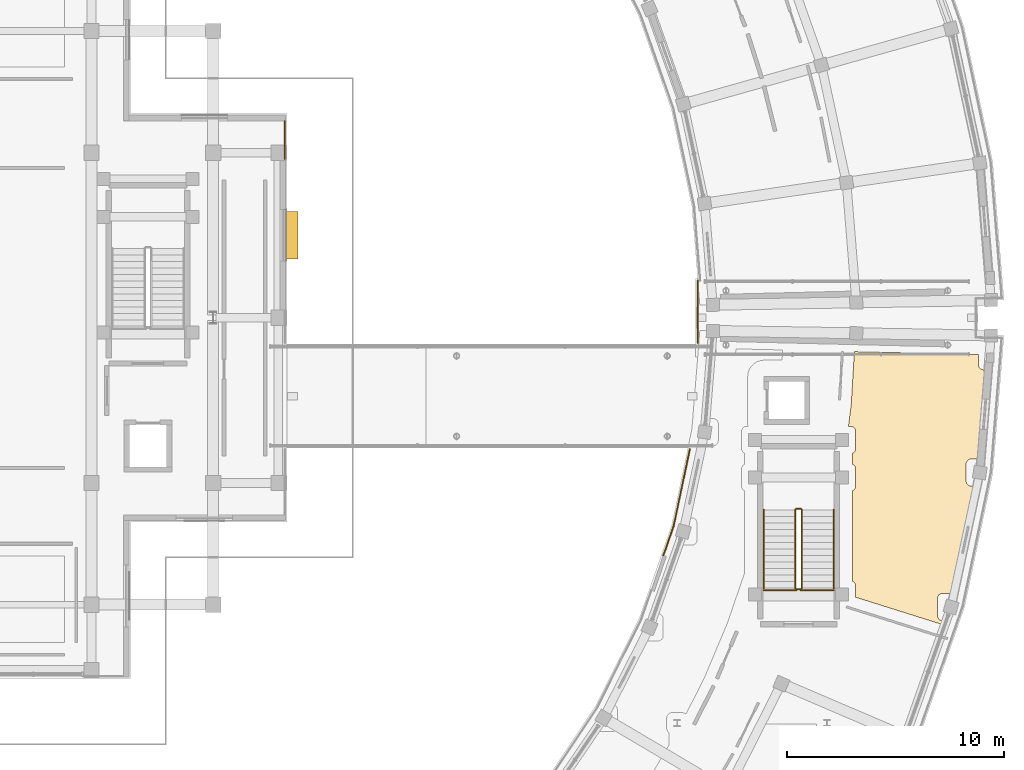
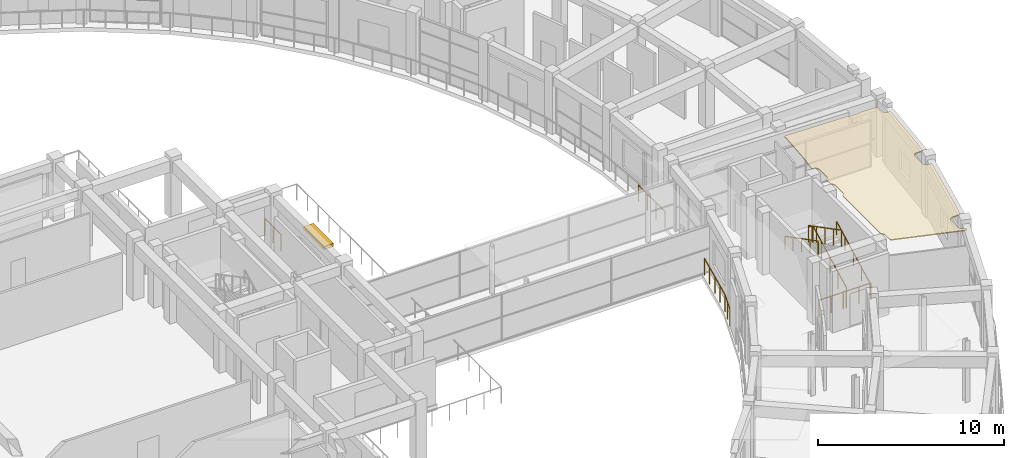
# One storey, part 48 of 53: 12 railings, 1 covering, 1 shading device.
"""IFC4 building model written with IfcOpenShell, lengths in metres."""

from ifc_helpers import new_model, si_unit, direction, frame, origin, origin_2d, place, context, subcontext, project, spatial, polyline, rectangle, outline, extrude, material, layer, layer_set, type_object, element, save


model = new_model("IFC4")

# Units and contexts
model_context = context("Model", 3, precision=1e-05, world=origin(), true_north=direction((0.0, 1.0)))
body_context = subcontext(model_context, "Body", "Model", "MODEL_VIEW")
ifc_project = project(units=[si_unit("LENGTHUNIT", "METRE"), si_unit("AREAUNIT", "SQUARE_METRE"), si_unit("VOLUMEUNIT", "CUBIC_METRE"), si_unit("PLANEANGLEUNIT", "RADIAN"), si_unit("MASSUNIT", "GRAM", prefix="KILO")], contexts=[model_context])

# Site, building, storey
site_placement = place(None, origin())
site = spatial("IfcSite", under=ifc_project, at=site_placement, CompositionType="ELEMENT")
building_placement = place(site_placement, origin())
building = spatial("IfcBuilding", under=site, at=building_placement, Name="Saryqyr Civic Hall", CompositionType="ELEMENT")
storey_placement = place(building_placement, frame((0.0, 0.0, 21.300048828125)))
storey = spatial("IfcBuildingStorey", under=building, at=storey_placement, Name="L05", CompositionType="ELEMENT", Elevation=21.300048828125)

# Shading device
ifc_material_1 = material(Name="Warm brushed brass-anodised aluminium", Category="aluminium")
shading_device_type = type_object("IfcShadingDeviceType", Name="ENV-SHD-LOUVRE", PredefinedType="JALOUSIE", material=ifc_material_1)
shading_device_placement = place(storey_placement, frame((73.81494140625, 87.800048828125, 2.884765625), z_axis=(0.0, 0.0, 1.0), x_axis=(0.0, -1.0, 0.0)))
element("IfcShadingDevice", 1, at=shading_device_placement, inside=storey, type_object=shading_device_type, Name="Warm brass exterior louvre hood L05-08", PredefinedType="JALOUSIE", context=body_context, shape_type="SweptSolid", body=[
    extrude(rectangle(XDim=2.199951171875, YDim=0.60009765625, at=origin_2d()), origin(), (0.0, 0.0, 1.0), 0.199951171875),
])

# Covering
ifc_material_2 = material(Name="Mineral-fibre acoustic ceiling tile", Category="acoustic_tile")
ifc_layer_1 = layer(ifc_material_2, 0.06005859375, Name="Mineral-fibre acoustic ceiling tile")
ifc_layer_set_1 = layer_set([ifc_layer_1], Name="Mineral-fibre acoustic ceiling tile")
covering_type = type_object("IfcCoveringType", Name="INT-COV-CEIL-60", PredefinedType="CEILING", material=ifc_layer_set_1)
covering_placement = place(storey_placement, frame((0.0, 0.0, 3.719970703125)))
element("IfcCovering", 2, at=covering_placement, inside=storey, type_object=covering_type, Name="Acoustic ceiling Members' Lounge & Accessible MGN WC L05-E", PredefinedType="CEILING", context=body_context, shape_type="SweptSolid", body=[
    extrude(outline(polyline([(99.706298828125, 82.443359375), (103.612548828125, 82.351318359375), (103.625, 82.340087890625), (103.64453125, 82.32568359375), (103.665771484375, 82.31298828125), (103.687744140625, 82.302490234375), (103.7109375, 82.294189453125), (103.734619140625, 82.288330078125), (103.759033203125, 82.28466796875), (103.783447265625, 82.283447265625), (104.216552734375, 82.283447265625), (104.240966796875, 82.28466796875), (104.265380859375, 82.288330078125), (104.2890625, 82.294189453125), (104.312255859375, 82.302490234375), (104.334228515625, 82.31298828125), (104.35546875, 82.32568359375), (104.3662109375, 82.33349609375), (105.410400390625, 82.30908203125), (105.410400390625, 81.856689453125), (105.41162109375, 81.832275390625), (105.415283203125, 81.807861328125), (105.42138671875, 81.7841796875), (105.429443359375, 81.760986328125), (105.43994140625, 81.739013671875), (105.45263671875, 81.7177734375), (105.46728515625, 81.697998046875), (105.483642578125, 81.679931640625), (105.501953125, 81.663330078125), (105.521484375, 81.648681640625), (105.542724609375, 81.63623046875), (105.564697265625, 81.625732421875), (105.587890625, 81.617431640625), (105.61181640625, 81.611572265625), (105.635986328125, 81.60791015625), (105.660400390625, 81.606689453125), (105.82080078125, 81.606689453125), (105.56591796875, 78.27001953125), (105.46728515625, 77.510009765625), (105.10009765625, 77.510009765625), (105.075439453125, 77.5087890625), (105.05126953125, 77.505126953125), (105.02734375, 77.499267578125), (105.00439453125, 77.490966796875), (104.982177734375, 77.48046875), (104.961181640625, 77.468017578125), (104.94140625, 77.453369140625), (104.923095703125, 77.436767578125), (104.90673828125, 77.418701171875), (104.89208984375, 77.39892578125), (104.87939453125, 77.377685546875), (104.868896484375, 77.355712890625), (104.86083984375, 77.33251953125), (104.854736328125, 77.308837890625), (104.851318359375, 77.284423828125), (104.85009765625, 77.260009765625), (104.85009765625, 76.5), (104.851318359375, 76.4755859375), (104.854736328125, 76.451171875), (104.86083984375, 76.427490234375), (104.868896484375, 76.404296875), (104.87939453125, 76.382080078125), (104.89208984375, 76.361083984375), (104.90673828125, 76.34130859375), (104.923095703125, 76.3232421875), (104.94140625, 76.306640625), (104.961181640625, 76.2919921875), (104.982177734375, 76.279541015625), (105.00439453125, 76.26904296875), (105.02734375, 76.2607421875), (105.05126953125, 76.2548828125), (105.075439453125, 76.251220703125), (105.10009765625, 76.25), (105.3037109375, 76.25), (105.293701171875, 76.173828125), (104.4033203125, 71.953369140625), (104.228515625, 71.3212890625), (103.778076171875, 71.3212890625), (103.75341796875, 71.320068359375), (103.729248046875, 71.31640625), (103.705322265625, 71.310302734375), (103.682373046875, 71.30224609375), (103.66015625, 71.291748046875), (103.63916015625, 71.279052734375), (103.619384765625, 71.264404296875), (103.601318359375, 71.248046875), (103.584716796875, 71.229736328125), (103.570068359375, 71.210205078125), (103.5576171875, 71.18896484375), (103.547119140625, 71.1669921875), (103.538818359375, 71.143798828125), (103.53271484375, 71.1201171875), (103.529296875, 71.095703125), (103.528076171875, 71.0712890625), (103.528076171875, 70.311279296875), (103.529296875, 70.28662109375), (103.53271484375, 70.262451171875), (103.538818359375, 70.238525390625), (103.547119140625, 70.215576171875), (103.5576171875, 70.193359375), (103.570068359375, 70.17236328125), (103.584716796875, 70.152587890625), (103.601318359375, 70.134521484375), (103.619384765625, 70.117919921875), (103.63916015625, 70.103271484375), (103.66015625, 70.0908203125), (103.682373046875, 70.080078125), (103.705322265625, 70.072021484375), (103.729248046875, 70.06591796875), (103.75341796875, 70.0625), (103.778076171875, 70.061279296875), (103.88037109375, 70.061279296875), (103.825927734375, 69.86474609375), (99.77001953125, 71.14013671875), (99.77001953125, 71.655029296875), (99.768798828125, 71.679443359375), (99.76513671875, 71.703857421875), (99.75927734375, 71.7275390625), (99.7509765625, 71.750732421875), (99.740478515625, 71.772705078125), (99.727783203125, 71.7939453125), (99.71337890625, 71.813720703125), (99.69677734375, 71.831787109375), (99.6787109375, 71.848388671875), (99.658935546875, 71.86279296875), (99.6376953125, 71.87548828125), (99.6201171875, 71.8837890625), (99.6201171875, 76.041015625), (99.6376953125, 76.049560546875), (99.658935546875, 76.06201171875), (99.6787109375, 76.07666015625), (99.69677734375, 76.09326171875), (99.71337890625, 76.111328125), (99.727783203125, 76.131103515625), (99.740478515625, 76.152099609375), (99.7509765625, 76.17431640625), (99.75927734375, 76.197509765625), (99.76513671875, 76.22119140625), (99.768798828125, 76.24560546875), (99.77001953125, 76.27001953125), (99.77001953125, 77.030029296875), (99.768798828125, 77.054443359375), (99.76513671875, 77.078857421875), (99.75927734375, 77.1025390625), (99.7509765625, 77.125732421875), (99.740478515625, 77.147705078125), (99.727783203125, 77.1689453125), (99.71337890625, 77.188720703125), (99.69677734375, 77.206787109375), (99.6787109375, 77.223388671875), (99.658935546875, 77.23779296875), (99.6376953125, 77.25048828125), (99.6201171875, 77.2587890625), (99.6201171875, 77.77099609375), (99.6376953125, 77.779541015625), (99.658935546875, 77.7919921875), (99.6787109375, 77.806640625), (99.69677734375, 77.8232421875), (99.71337890625, 77.84130859375), (99.727783203125, 77.861083984375), (99.740478515625, 77.882080078125), (99.7509765625, 77.904296875), (99.75927734375, 77.927490234375), (99.76513671875, 77.951171875), (99.768798828125, 77.9755859375), (99.77001953125, 78.0), (99.77001953125, 78.760009765625), (99.768798828125, 78.784423828125), (99.76513671875, 78.808837890625), (99.75927734375, 78.83251953125), (99.7509765625, 78.855712890625), (99.740478515625, 78.877685546875), (99.727783203125, 78.89892578125), (99.71337890625, 78.918701171875), (99.69677734375, 78.936767578125), (99.6787109375, 78.953369140625), (99.658935546875, 78.968017578125), (99.6376953125, 78.98046875), (99.61572265625, 78.990966796875), (99.592529296875, 78.999267578125), (99.56884765625, 79.005126953125), (99.54443359375, 79.0087890625), (99.52001953125, 79.010009765625), (99.4345703125, 79.010009765625), (99.5595703125, 79.973388671875), (99.563232421875, 80.011962890625), (99.706298828125, 82.443359375)])), origin(), (0.0, 0.0, 1.0), 0.06005859375),
])

# Railings
ifc_material_3 = material(Name="Warm brushed brass and laminated glass", Category="glass")
ifc_layer_2 = layer(ifc_material_3, 0.06005859375, Name="Warm brushed brass and laminated glass")
ifc_layer_set_2 = layer_set([ifc_layer_2], Name="Warm brushed brass and laminated glass")
railing_type_1 = type_object("IfcRailingType", Name="INT-RLG-BAL-1100", PredefinedType="BALUSTRADE", material=ifc_layer_set_2)
railing_1_placement = place(storey_placement, frame((97.2900390625, 71.56005859375, 0.15576171875)))
element("IfcRailing", 3, at=railing_1_placement, inside=storey, type_object=railing_type_1, Name="L05 ST-5 stair guard 1", PredefinedType="BALUSTRADE", context=body_context, shape_type="SweptSolid", body=[
    extrude(rectangle(XDim=0.048095703125, YDim=0.048095703125, at=origin_2d()), frame((0.0, 0.0, 1.076171875), z_axis=(0.0, 0.887497496945, 0.460812535545), x_axis=(-1.0, 0.0, 0.0)), (0.0, 0.0, 1.0), 4.05615234375),
    extrude(rectangle(XDim=0.0419921875, YDim=0.0419921875, at=origin_2d()), origin(), (0.0, 0.0, 1.0), 1.052001953125),
    extrude(rectangle(XDim=0.0419921875, YDim=0.0419921875, at=origin_2d()), frame((0.0, 0.89990234375, 0.46728515625)), (0.0, 0.0, 1.0), 1.052001953125),
    extrude(rectangle(XDim=0.0419921875, YDim=0.0419921875, at=origin_2d()), frame((0.0, 1.7998046875, 0.9345703125)), (0.0, 0.0, 1.0), 1.052001953125),
    extrude(rectangle(XDim=0.0419921875, YDim=0.0419921875, at=origin_2d()), frame((0.0, 2.699951171875, 1.40185546875)), (0.0, 0.0, 1.0), 1.052001953125),
    extrude(rectangle(XDim=0.0419921875, YDim=0.0419921875, at=origin_2d()), frame((0.0, 3.599853515625, 1.869140625)), (0.0, 0.0, 1.0), 1.052001953125),
])
railing_2_placement = place(storey_placement, frame((97.239990234375, 75.2099609375, 2.02490234375)))
element("IfcRailing", 4, at=railing_2_placement, inside=storey, type_object=railing_type_1, Name="L05 ST-5 stair guard 2", PredefinedType="BALUSTRADE", context=body_context, shape_type="SweptSolid", body=[
    extrude(rectangle(XDim=0.048095703125, YDim=0.048095703125, at=origin_2d()), frame((0.0, 0.0, 1.076171875), z_axis=(-1.0, 0.0, 0.0), x_axis=(0.0, -1.0, 0.0)), (0.0, 0.0, 1.0), 0.199951171875),
    extrude(rectangle(XDim=0.0419921875, YDim=0.0419921875, at=origin_2d()), origin(), (0.0, 0.0, 1.0), 1.052001953125),
    extrude(rectangle(XDim=0.0419921875, YDim=0.0419921875, at=origin_2d()), frame((-0.199951171875, 0.0, 0.0)), (0.0, 0.0, 1.0), 1.052001953125),
])
railing_3_placement = place(storey_placement, frame((96.989990234375, 75.159912109375, 2.1806640625)))
element("IfcRailing", 5, at=railing_3_placement, inside=storey, type_object=railing_type_1, Name="L05 ST-5 stair guard 3", PredefinedType="BALUSTRADE", context=body_context, shape_type="SweptSolid", body=[
    extrude(rectangle(XDim=0.048095703125, YDim=0.048095703125, at=origin_2d()), frame((0.0, 0.0, 1.076171875), z_axis=(0.0, -0.887472880572, 0.460859942119), x_axis=(1.0, 0.0, 0.0)), (0.0, 0.0, 1.0), 4.056396484375),
    extrude(rectangle(XDim=0.0419921875, YDim=0.0419921875, at=origin_2d()), origin(), (0.0, 0.0, 1.0), 1.052001953125),
    extrude(rectangle(XDim=0.0419921875, YDim=0.0419921875, at=origin_2d()), frame((0.0, -0.89990234375, 0.46728515625)), (0.0, 0.0, 1.0), 1.052001953125),
    extrude(rectangle(XDim=0.0419921875, YDim=0.0419921875, at=origin_2d()), frame((0.0, -1.7998046875, 0.9345703125)), (0.0, 0.0, 1.0), 1.052001953125),
    extrude(rectangle(XDim=0.0419921875, YDim=0.0419921875, at=origin_2d()), frame((0.0, -2.699951171875, 1.402099609375)), (0.0, 0.0, 1.0), 1.052001953125),
    extrude(rectangle(XDim=0.0419921875, YDim=0.0419921875, at=origin_2d()), frame((0.0, -3.599853515625, 1.869384765625)), (0.0, 0.0, 1.0), 1.052001953125),
])
railing_4_placement = place(storey_placement, frame((97.239990234375, 71.510009765625, 0.0)))
element("IfcRailing", 6, at=railing_4_placement, inside=storey, type_object=railing_type_1, Name="L05 ST-5 stair guard 4", PredefinedType="BALUSTRADE", context=body_context, shape_type="SweptSolid", body=[
    extrude(rectangle(XDim=0.048095703125, YDim=0.048095703125, at=origin_2d()), frame((0.0, 0.0, 1.076171875), z_axis=(-1.0, 0.0, 0.0), x_axis=(0.0, -1.0, 0.0)), (0.0, 0.0, 1.0), 0.199951171875),
    extrude(rectangle(XDim=0.0419921875, YDim=0.0419921875, at=origin_2d()), origin(), (0.0, 0.0, 1.0), 1.052001953125),
    extrude(rectangle(XDim=0.0419921875, YDim=0.0419921875, at=origin_2d()), frame((-0.199951171875, 0.0, 0.0)), (0.0, 0.0, 1.0), 1.052001953125),
])
railing_5_placement = place(storey_placement, frame((73.5, 93.044921875, 0.0)))
element("IfcRailing", 7, at=railing_5_placement, inside=storey, type_object=railing_type_1, Name="Interior deck safety balustrade L05-007", PredefinedType="BALUSTRADE", context=body_context, shape_type="SweptSolid", body=[
    extrude(rectangle(XDim=0.048095703125, YDim=0.048095703125, at=origin_2d()), frame((0.0, 0.0, 1.09619140625), z_axis=(0.0, -1.0, 0.0), x_axis=(1.0, 0.0, 0.0)), (0.0, 0.0, 1.0), 1.72998046875),
    extrude(rectangle(XDim=0.0419921875, YDim=0.0419921875, at=origin_2d()), origin(), (0.0, 0.0, 1.0), 1.072021484375),
    extrude(rectangle(XDim=0.0419921875, YDim=0.0419921875, at=origin_2d()), frame((0.0, -0.864990234375, 0.0)), (0.0, 0.0, 1.0), 1.072021484375),
    extrude(rectangle(XDim=0.0419921875, YDim=0.0419921875, at=origin_2d()), frame((0.0, -1.72998046875, 0.0)), (0.0, 0.0, 1.0), 1.072021484375),
])
railing_6_placement = place(storey_placement, frame((92.5, 82.840087890625, 0.0)))
element("IfcRailing", 8, at=railing_6_placement, inside=storey, type_object=railing_type_1, Name="Interior deck safety balustrade L05-009", PredefinedType="BALUSTRADE", context=body_context, shape_type="SweptSolid", body=[
    extrude(rectangle(XDim=0.048095703125, YDim=0.048095703125, at=origin_2d()), frame((0.0, 0.0, 1.09619140625), z_axis=(0.0, 1.0, 0.0), x_axis=(-1.0, 0.0, 0.0)), (0.0, 0.0, 1.0), 2.85986328125),
    extrude(rectangle(XDim=0.0419921875, YDim=0.0419921875, at=origin_2d()), origin(), (0.0, 0.0, 1.0), 1.072021484375),
    extrude(rectangle(XDim=0.0419921875, YDim=0.0419921875, at=origin_2d()), frame((0.0, 0.953369140625, 0.0)), (0.0, 0.0, 1.0), 1.072021484375),
    extrude(rectangle(XDim=0.0419921875, YDim=0.0419921875, at=origin_2d()), frame((0.0, 1.906494140625, 0.0)), (0.0, 0.0, 1.0), 1.072021484375),
    extrude(rectangle(XDim=0.0419921875, YDim=0.0419921875, at=origin_2d()), frame((0.0, 2.85986328125, 0.0)), (0.0, 0.0, 1.0), 1.072021484375),
])
railing_7_placement = place(storey_placement, frame((90.9208984375, 73.072021484375, 0.0)))
element("IfcRailing", 9, at=railing_7_placement, inside=storey, type_object=railing_type_1, Name="Interior deck safety balustrade L05-055", PredefinedType="BALUSTRADE", context=body_context, shape_type="SweptSolid", body=[
    extrude(rectangle(XDim=0.048095703125, YDim=0.048095703125, at=origin_2d()), frame((0.0, 0.0, 1.09619140625), z_axis=(0.329304662622, 0.944223723053, 0.0), x_axis=(-0.944223723053, 0.329304662622, 0.0)), (0.0, 0.0, 1.0), 1.425048828125),
    extrude(rectangle(XDim=0.0419921875, YDim=0.0419921875, at=origin_2d()), origin(), (0.0, 0.0, 1.0), 1.072021484375),
    extrude(rectangle(XDim=0.0419921875, YDim=0.0419921875, at=origin_2d()), frame((0.234619140625, 0.6728515625, 0.0)), (0.0, 0.0, 1.0), 1.072021484375),
    extrude(rectangle(XDim=0.0419921875, YDim=0.0419921875, at=origin_2d()), frame((0.46923828125, 1.345458984375, 0.0)), (0.0, 0.0, 1.0), 1.072021484375),
])
railing_8_placement = place(storey_placement, frame((91.39013671875, 74.41748046875, 0.0)))
element("IfcRailing", 10, at=railing_8_placement, inside=storey, type_object=railing_type_1, Name="Interior deck safety balustrade L05-056", PredefinedType="BALUSTRADE", context=body_context, shape_type="SweptSolid", body=[
    extrude(rectangle(XDim=0.048095703125, YDim=0.048095703125, at=origin_2d()), frame((0.0, 0.0, 1.09619140625), z_axis=(0.206479446737, 0.978450938001, 0.0), x_axis=(-0.978450938001, 0.206479446737, 0.0)), (0.0, 0.0, 1.0), 3.62060546875),
    extrude(rectangle(XDim=0.0419921875, YDim=0.0419921875, at=origin_2d()), origin(), (0.0, 0.0, 1.0), 1.072021484375),
    extrude(rectangle(XDim=0.0419921875, YDim=0.0419921875, at=origin_2d()), frame((0.18701171875, 0.8857421875, 0.0)), (0.0, 0.0, 1.0), 1.072021484375),
    extrude(rectangle(XDim=0.0419921875, YDim=0.0419921875, at=origin_2d()), frame((0.373779296875, 1.771240234375, 0.0)), (0.0, 0.0, 1.0), 1.072021484375),
    extrude(rectangle(XDim=0.0419921875, YDim=0.0419921875, at=origin_2d()), frame((0.560546875, 2.65673828125, 0.0)), (0.0, 0.0, 1.0), 1.072021484375),
    extrude(rectangle(XDim=0.0419921875, YDim=0.0419921875, at=origin_2d()), frame((0.74755859375, 3.54248046875, 0.0)), (0.0, 0.0, 1.0), 1.072021484375),
])
railing_9_placement = place(storey_placement, frame((95.52490234375, 71.4599609375, 0.0)))
element("IfcRailing", 11, at=railing_9_placement, inside=storey, type_object=railing_type_1, Name="Interior deck safety balustrade L05-061", PredefinedType="BALUSTRADE", context=body_context, shape_type="SweptSolid", body=[
    extrude(rectangle(XDim=0.048095703125, YDim=0.048095703125, at=origin_2d()), frame((0.0, 0.0, 1.09619140625), z_axis=(1.0, 0.0, 0.0), x_axis=(0.0, 1.0, 0.0)), (0.0, 0.0, 1.0), 1.51513671875),
    extrude(rectangle(XDim=0.0419921875, YDim=0.0419921875, at=origin_2d()), origin(), (0.0, 0.0, 1.0), 1.072021484375),
    extrude(rectangle(XDim=0.0419921875, YDim=0.0419921875, at=origin_2d()), frame((0.757568359375, 0.0, 0.0)), (0.0, 0.0, 1.0), 1.072021484375),
    extrude(rectangle(XDim=0.0419921875, YDim=0.0419921875, at=origin_2d()), frame((1.51513671875, 0.0, 0.0)), (0.0, 0.0, 1.0), 1.072021484375),
])
railing_10_placement = place(storey_placement, frame((97.239990234375, 71.4599609375, 0.0)))
element("IfcRailing", 12, at=railing_10_placement, inside=storey, type_object=railing_type_1, Name="Interior deck safety balustrade L05-062", PredefinedType="BALUSTRADE", context=body_context, shape_type="SweptSolid", body=[
    extrude(rectangle(XDim=0.048095703125, YDim=0.048095703125, at=origin_2d()), frame((0.0, 0.0, 1.09619140625), z_axis=(1.0, 0.0, 0.0), x_axis=(0.0, 1.0, 0.0)), (0.0, 0.0, 1.0), 1.514892578125),
    extrude(rectangle(XDim=0.0419921875, YDim=0.0419921875, at=origin_2d()), origin(), (0.0, 0.0, 1.0), 1.072021484375),
    extrude(rectangle(XDim=0.0419921875, YDim=0.0419921875, at=origin_2d()), frame((0.75732421875, 0.0, 0.0)), (0.0, 0.0, 1.0), 1.072021484375),
    extrude(rectangle(XDim=0.0419921875, YDim=0.0419921875, at=origin_2d()), frame((1.514892578125, 0.0, 0.0)), (0.0, 0.0, 1.0), 1.072021484375),
])
ifc_material_4 = material(Name="Stainless steel", Category="steel")
ifc_layer_3 = layer(ifc_material_4, 0.050048828125, Name="Stainless steel")
ifc_layer_set_3 = layer_set([ifc_layer_3], Name="Stainless steel")
railing_type_2 = type_object("IfcRailingType", Name="INT-RLG-HND-900", PredefinedType="HANDRAIL", material=ifc_layer_set_3)
railing_11_placement = place(storey_placement, frame((98.75, 71.56005859375, 0.15576171875)))
element("IfcRailing", 13, at=railing_11_placement, inside=storey, type_object=railing_type_2, Name="L05 ST-5 stair handrail 1", PredefinedType="HANDRAIL", context=body_context, shape_type="SweptSolid", body=[
    extrude(rectangle(XDim=0.048095703125, YDim=0.048095703125, at=origin_2d()), frame((0.0, 0.0, 0.8759765625), z_axis=(0.0, 0.887497496945, 0.460812535545), x_axis=(-1.0, 0.0, 0.0)), (0.0, 0.0, 1.0), 4.05615234375),
    extrude(rectangle(XDim=0.0419921875, YDim=0.0419921875, at=origin_2d()), origin(), (0.0, 0.0, 1.0), 0.851806640625),
    extrude(rectangle(XDim=0.0419921875, YDim=0.0419921875, at=origin_2d()), frame((0.0, 0.89990234375, 0.46728515625)), (0.0, 0.0, 1.0), 0.851806640625),
    extrude(rectangle(XDim=0.0419921875, YDim=0.0419921875, at=origin_2d()), frame((0.0, 1.7998046875, 0.9345703125)), (0.0, 0.0, 1.0), 0.851806640625),
    extrude(rectangle(XDim=0.0419921875, YDim=0.0419921875, at=origin_2d()), frame((0.0, 2.699951171875, 1.40185546875)), (0.0, 0.0, 1.0), 0.851806640625),
    extrude(rectangle(XDim=0.0419921875, YDim=0.0419921875, at=origin_2d()), frame((0.0, 3.599853515625, 1.869140625)), (0.0, 0.0, 1.0), 0.851806640625),
])
railing_12_placement = place(storey_placement, frame((95.530029296875, 75.159912109375, 2.1806640625)))
element("IfcRailing", 14, at=railing_12_placement, inside=storey, type_object=railing_type_2, Name="L05 ST-5 stair handrail 2", PredefinedType="HANDRAIL", context=body_context, shape_type="SweptSolid", body=[
    extrude(rectangle(XDim=0.048095703125, YDim=0.048095703125, at=origin_2d()), frame((0.0, 0.0, 0.8759765625), z_axis=(0.0, -0.887472880572, 0.460859942119), x_axis=(1.0, 0.0, 0.0)), (0.0, 0.0, 1.0), 4.056396484375),
    extrude(rectangle(XDim=0.0419921875, YDim=0.0419921875, at=origin_2d()), origin(), (0.0, 0.0, 1.0), 0.851806640625),
    extrude(rectangle(XDim=0.0419921875, YDim=0.0419921875, at=origin_2d()), frame((0.0, -0.89990234375, 0.46728515625)), (0.0, 0.0, 1.0), 0.851806640625),
    extrude(rectangle(XDim=0.0419921875, YDim=0.0419921875, at=origin_2d()), frame((0.0, -1.7998046875, 0.9345703125)), (0.0, 0.0, 1.0), 0.851806640625),
    extrude(rectangle(XDim=0.0419921875, YDim=0.0419921875, at=origin_2d()), frame((0.0, -2.699951171875, 1.402099609375)), (0.0, 0.0, 1.0), 0.851806640625),
    extrude(rectangle(XDim=0.0419921875, YDim=0.0419921875, at=origin_2d()), frame((0.0, -3.599853515625, 1.869384765625)), (0.0, 0.0, 1.0), 0.851806640625),
])

save(model, "model.ifc")
